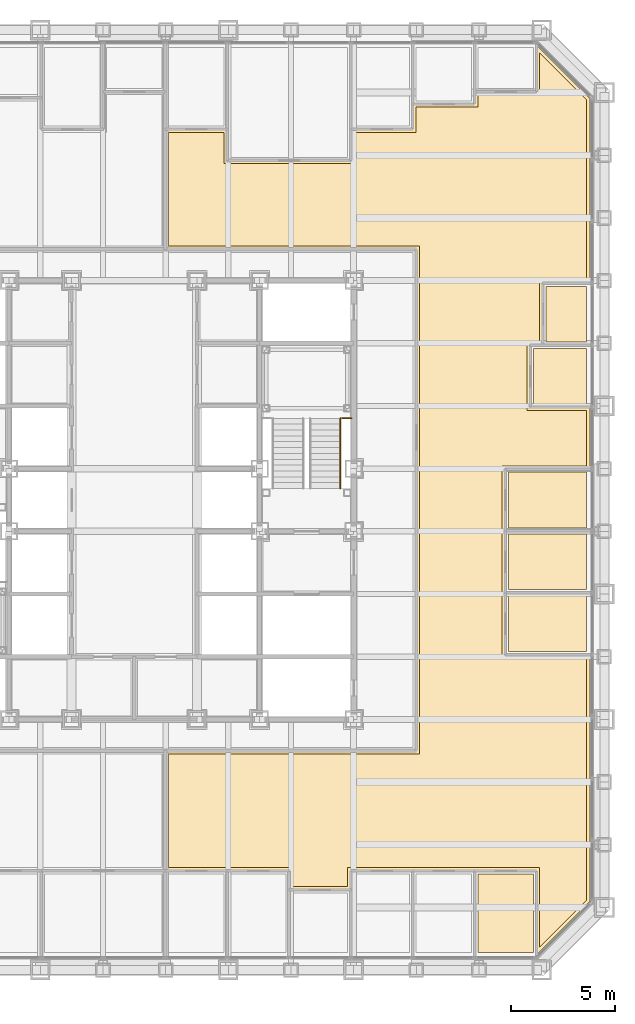
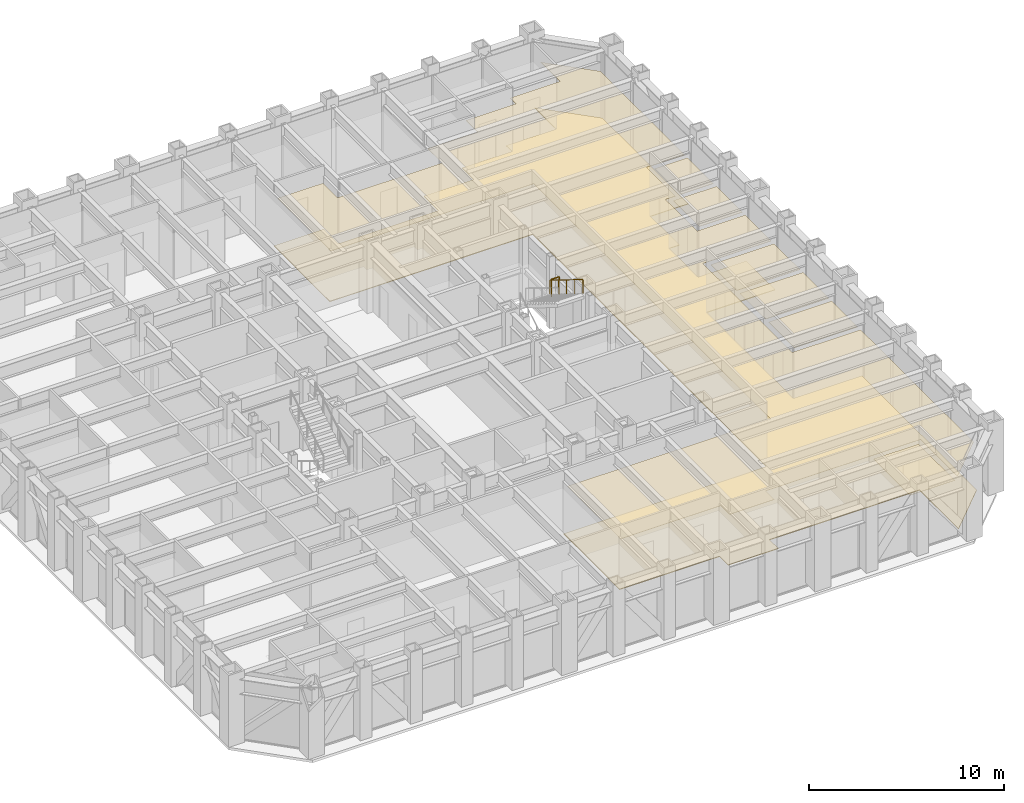
# One storey, part 15 of 16: 8 coverings, 2 railings.
"""IFC4 building model written with IfcOpenShell, lengths in metres."""

from ifc_helpers import new_model, si_unit, direction, frame, origin, origin_2d, place, context, subcontext, project, spatial, polyline, circle, outline, extrude, material, layer, layer_set, type_object, element, save


model = new_model("IFC4")

# Units and contexts
model_context = context("Model", 3, precision=1e-05, world=origin(), true_north=direction((0.0, 1.0)))
body_context = subcontext(model_context, "Body", "Model", "MODEL_VIEW")
ifc_project = project(units=[si_unit("LENGTHUNIT", "METRE"), si_unit("AREAUNIT", "SQUARE_METRE"), si_unit("VOLUMEUNIT", "CUBIC_METRE"), si_unit("PLANEANGLEUNIT", "RADIAN"), si_unit("MASSUNIT", "GRAM", prefix="KILO")], contexts=[model_context])

# Site, building, storey
site_placement = place(None, origin())
site = spatial("IfcSite", under=ifc_project, at=site_placement, CompositionType="ELEMENT")
building_placement = place(site_placement, origin())
building = spatial("IfcBuilding", under=site, at=building_placement, Name="Chuquiago Exchange Tower", CompositionType="ELEMENT")
storey_placement = place(building_placement, frame((0.0, 0.0, 51.300048828125)))
storey = spatial("IfcBuildingStorey", under=building, at=storey_placement, Name="L10", CompositionType="ELEMENT", Elevation=51.300048828125)

# Coverings
ifc_material_1 = material(Name="Mineral fibre tile, 600 x 600, on pale metal grid", Category="mineral fibre")
ifc_layer_1 = layer(ifc_material_1, 0.02001953125)
ifc_layer_set_1 = layer_set([ifc_layer_1], Name="CL1 suspended tile ceiling 20")
covering_type_1 = type_object("IfcCoveringType", Name="CL1 suspended tile ceiling 20", PredefinedType="CEILING", material=ifc_layer_set_1)
covering_1_placement = place(storey_placement, frame((0.0, 0.0, 3.0)))
element("IfcCovering", 1, at=covering_1_placement, inside=storey, type_object=covering_type_1, Name="Ceiling Meeting room", PredefinedType="CEILING", context=body_context, shape_type="SweptSolid", body=[
    extrude(outline(polyline([(38.939697265625, 0.85009765625), (38.939697265625, 4.60009765625), (41.6015625, 4.60009765625), (41.6015625, 0.85009765625), (38.939697265625, 0.85009765625)])), origin(), (0.0, 0.0, 1.0), 0.02001953125),
])
covering_2_placement = place(storey_placement, frame((0.0, 0.0, 3.0)))
element("IfcCovering", 2, at=covering_2_placement, inside=storey, type_object=covering_type_1, Name="Ceiling Office", PredefinedType="CEILING", context=body_context, shape_type="SweptSolid", body=[
    extrude(outline(polyline([(40.39990234375, 15.24560546875), (40.39990234375, 17.907470703125), (44.14990234375, 17.907470703125), (44.14990234375, 15.24560546875), (40.39990234375, 15.24560546875)])), origin(), (0.0, 0.0, 1.0), 0.02001953125),
])
covering_3_placement = place(storey_placement, frame((0.0, 0.0, 3.0)))
element("IfcCovering", 3, at=covering_3_placement, inside=storey, type_object=covering_type_1, Name="Ceiling Office", PredefinedType="CEILING", context=body_context, shape_type="SweptSolid", body=[
    extrude(outline(polyline([(40.39990234375, 18.20751953125), (40.39990234375, 20.869140625), (44.14990234375, 20.869140625), (44.14990234375, 18.20751953125), (40.39990234375, 18.20751953125)])), origin(), (0.0, 0.0, 1.0), 0.02001953125),
])
covering_4_placement = place(storey_placement, frame((0.0, 0.0, 3.0)))
element("IfcCovering", 4, at=covering_4_placement, inside=storey, type_object=covering_type_1, Name="Ceiling Office", PredefinedType="CEILING", context=body_context, shape_type="SweptSolid", body=[
    extrude(outline(polyline([(40.39990234375, 21.169189453125), (40.39990234375, 23.830810546875), (44.14990234375, 23.830810546875), (44.14990234375, 21.169189453125), (40.39990234375, 21.169189453125)])), origin(), (0.0, 0.0, 1.0), 0.02001953125),
])
covering_5_placement = place(storey_placement, frame((0.0, 0.0, 3.0)))
element("IfcCovering", 5, at=covering_5_placement, inside=storey, type_object=covering_type_1, Name="Ceiling Pantry", PredefinedType="CEILING", context=body_context, shape_type="SweptSolid", body=[
    extrude(outline(polyline([(41.60009765625, 27.092529296875), (41.60009765625, 29.75439453125), (44.14990234375, 29.75439453125), (44.14990234375, 27.092529296875), (41.60009765625, 27.092529296875)])), origin(), (0.0, 0.0, 1.0), 0.02001953125),
])
covering_6_placement = place(storey_placement, frame((0.0, 0.0, 3.0)))
element("IfcCovering", 6, at=covering_6_placement, inside=storey, type_object=covering_type_1, Name="Ceiling Focus room", PredefinedType="CEILING", context=body_context, shape_type="SweptSolid", body=[
    extrude(outline(polyline([(42.199951171875, 30.054443359375), (42.199951171875, 32.71630859375), (44.14990234375, 32.71630859375), (44.14990234375, 30.054443359375), (42.199951171875, 30.054443359375)])), origin(), (0.0, 0.0, 1.0), 0.02001953125),
])
covering_7_placement = place(storey_placement, frame((0.0, 0.0, 3.0)))
element("IfcCovering", 7, at=covering_7_placement, inside=storey, type_object=covering_type_1, Name="Ceiling Trading floor east suite", PredefinedType="CEILING", context=body_context, shape_type="SweptSolid", body=[
    extrude(outline(polyline([(26.79248046875, 38.60009765625), (33.01611328125, 38.60009765625), (33.01611328125, 40.10009765625), (35.977783203125, 40.10009765625), (35.977783203125, 41.300048828125), (38.939697265625, 41.300048828125), (38.939697265625, 41.89990234375), (41.901611328125, 41.89990234375), (41.901611328125, 43.896484375), (44.14990234375, 41.64794921875), (44.14990234375, 33.01611328125), (41.89990234375, 33.01611328125), (41.89990234375, 30.054443359375), (41.300048828125, 30.054443359375), (41.300048828125, 26.79248046875), (44.14990234375, 26.79248046875), (44.14990234375, 24.130859375), (40.10009765625, 24.130859375), (40.10009765625, 14.945556640625), (44.14990234375, 14.945556640625), (44.14990234375, 3.35205078125), (41.901611328125, 1.103515625), (41.901611328125, 4.89990234375), (32.71630859375, 4.89990234375), (32.71630859375, 4.0), (30.054443359375, 4.0), (30.054443359375, 4.89990234375), (24.13134765625, 4.89990234375), (24.13134765625, 10.349609375), (36.150390625, 10.35009765625), (36.150390625, 34.650146484375), (24.13134765625, 34.650390625), (24.13134765625, 40.10009765625), (26.79248046875, 40.10009765625), (26.79248046875, 38.60009765625)])), origin(), (0.0, 0.0, 1.0), 0.02001953125),
])

# Railings
ifc_material_2 = material(Name="Pale metal guard with safety glass infill", Category="glass")
railing_type_1 = type_object("IfcRailingType", Name="GR1 guard 1100", PredefinedType="GUARDRAIL", material=ifc_material_2)
railing_1_placement = place(storey_placement, frame((32.445068359375, 26.409912109375, 2.25)))
element("IfcRailing", 8, at=railing_1_placement, inside=storey, type_object=railing_type_1, Name="Guard ST2 L10 landing 2", PredefinedType="GUARDRAIL", context=body_context, shape_type="SweptSolid", body=[
    extrude(circle(Radius=0.02392578125, at=origin_2d()), frame((0.0, 0.0, 1.076171875), z_axis=(1.0, 0.0, 0.0), x_axis=(0.0, 1.0, 0.0)), (0.0, 0.0, 1.0), 0.454833984375),
    extrude(circle(Radius=0.02099609375, at=origin_2d()), origin(), (0.0, 0.0, 1.0), 1.052001953125),
    extrude(circle(Radius=0.02099609375, at=origin_2d()), frame((0.454833984375, 0.0, 0.0)), (0.0, 0.0, 1.0), 1.052001953125),
])
ifc_material_3 = material(Name="Pale metal handrail", Category="steel")
railing_type_2 = type_object("IfcRailingType", Name="HR1 handrail 900", PredefinedType="HANDRAIL", material=ifc_material_3)
railing_2_placement = place(storey_placement, frame((32.364990234375, 26.409912109375, 2.423095703125)))
element("IfcRailing", 9, at=railing_2_placement, inside=storey, type_object=railing_type_2, Name="Handrail ST2 L10 flight 2", PredefinedType="HANDRAIL", context=body_context, shape_type="SweptSolid", body=[
    extrude(circle(Radius=0.02392578125, at=origin_2d()), frame((0.0, 0.0, 0.8759765625), z_axis=(0.0, -0.850606129759, 0.525803396734), x_axis=(1.0, 0.0, 0.0)), (0.0, 0.0, 1.0), 3.949951171875),
    extrude(circle(Radius=0.02099609375, at=origin_2d()), origin(), (0.0, 0.0, 1.0), 0.851806640625),
    extrude(circle(Radius=0.02099609375, at=origin_2d()), frame((0.0, -0.83984375, 0.519287109375)), (0.0, 0.0, 1.0), 0.851806640625),
    extrude(circle(Radius=0.02099609375, at=origin_2d()), frame((0.0, -1.679931640625, 1.03857421875)), (0.0, 0.0, 1.0), 0.851806640625),
    extrude(circle(Radius=0.02099609375, at=origin_2d()), frame((0.0, -2.52001953125, 1.5576171875)), (0.0, 0.0, 1.0), 0.851806640625),
    extrude(circle(Radius=0.02099609375, at=origin_2d()), frame((0.0, -3.35986328125, 2.076904296875)), (0.0, 0.0, 1.0), 0.851806640625),
])

# Covering
ifc_material_4 = material(Name="Steel raised floor panel", Category="steel")
ifc_layer_2 = layer(ifc_material_4, 0.0400390625)
ifc_layer_set_2 = layer_set([ifc_layer_2], Name="RF1 raised access floor 40")
covering_type_2 = type_object("IfcCoveringType", Name="RF1 raised access floor 40", PredefinedType="FLOORING", material=ifc_layer_set_2)
covering_8_placement = place(storey_placement, frame((0.0, 0.0, -0.0400390625)))
element("IfcCovering", 10, at=covering_8_placement, inside=storey, type_object=covering_type_2, Name="Raised access floor Trading floor east suite", PredefinedType="FLOORING", context=body_context, shape_type="SweptSolid", body=[
    extrude(outline(polyline([(26.942626953125, 40.25), (26.942626953125, 38.75), (32.8662109375, 38.75), (32.8662109375, 40.25), (35.827880859375, 40.25), (35.827880859375, 41.449951171875), (38.789794921875, 41.449951171875), (38.789794921875, 42.050048828125), (41.75146484375, 42.050048828125), (41.75146484375, 44.258544921875), (44.300048828125, 41.710205078125), (44.300048828125, 32.8662109375), (42.050048828125, 32.8662109375), (42.050048828125, 29.904296875), (41.449951171875, 29.904296875), (41.449951171875, 26.942626953125), (44.300048828125, 26.942626953125), (44.300048828125, 23.98095703125), (40.25, 23.98095703125), (40.25, 15.095703125), (44.300048828125, 15.095703125), (44.300048828125, 3.289794921875), (41.75146484375, 0.741455078125), (41.75146484375, 4.75), (32.8662109375, 4.75), (32.8662109375, 3.85009765625), (29.904296875, 3.85009765625), (29.904296875, 4.75), (23.9814453125, 4.75), (23.9814453125, 10.49951171875), (36.00048828125, 10.5), (36.00048828125, 34.5), (23.9814453125, 34.50048828125), (23.9814453125, 40.25), (26.942626953125, 40.25)])), origin(), (0.0, 0.0, 1.0), 0.0400390625),
])

save(model, "model.ifc")
